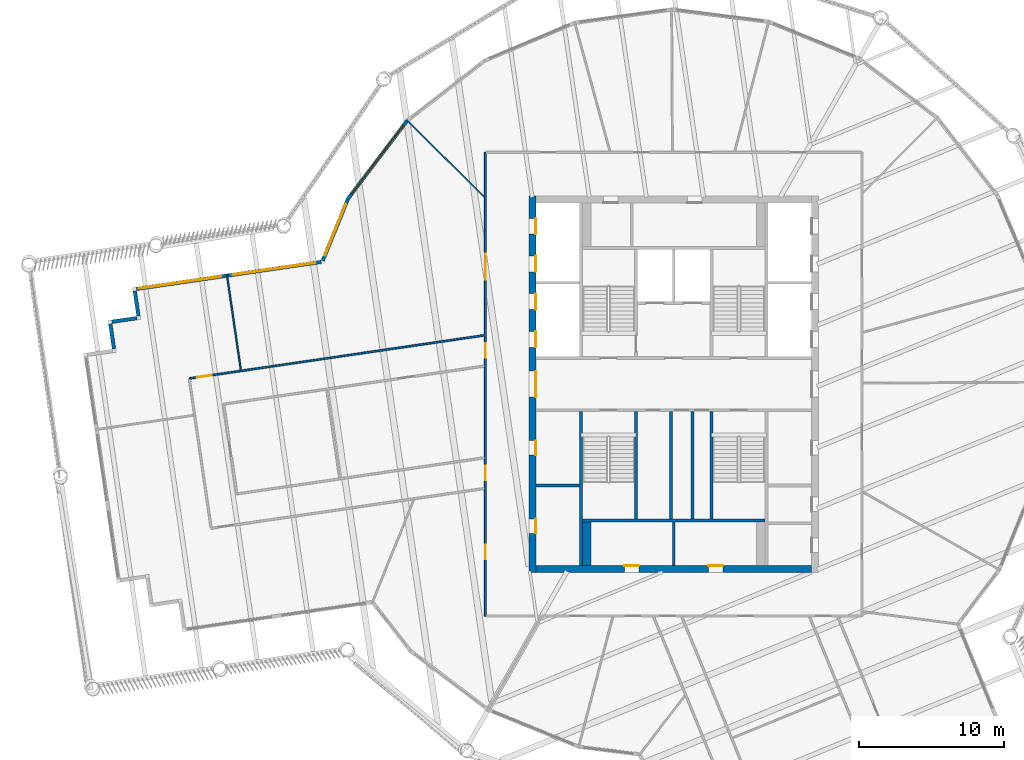
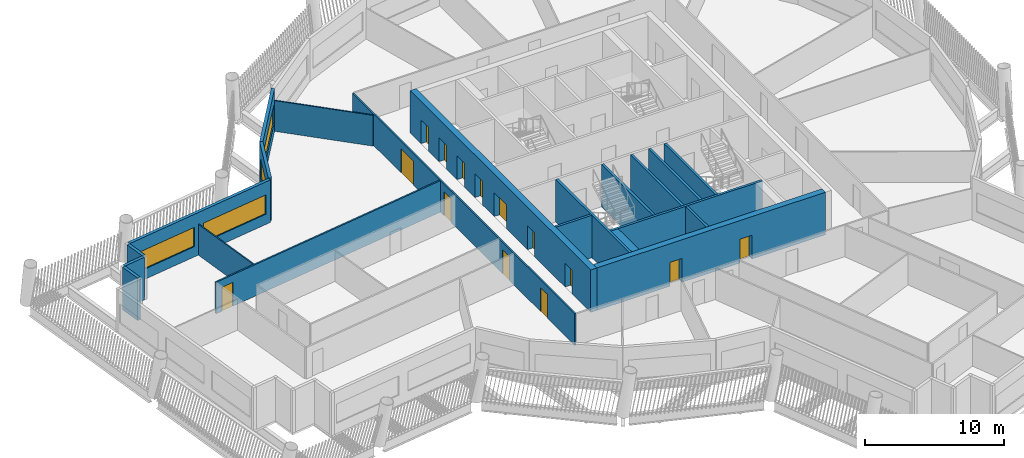
# One storey, part 4 of 15: 21 walls, 14 doors, 4 windows, 18 openings.
"""IFC4 building model written with IfcOpenShell, lengths in metres."""

from ifc_helpers import new_model, si_unit, direction, frame, frame_2d, origin, place, context, subcontext, project, spatial, rectangle, extrude, material, layer, layer_set, type_object, element, fill, save


model = new_model("IFC4")

# Units and contexts
model_context = context("Model", 3, precision=1e-05, world=origin(), true_north=direction((0.0, 1.0)))
body_context = subcontext(model_context, "Body", "Model", "MODEL_VIEW")
ifc_project = project(units=[si_unit("LENGTHUNIT", "METRE"), si_unit("AREAUNIT", "SQUARE_METRE"), si_unit("VOLUMEUNIT", "CUBIC_METRE"), si_unit("PLANEANGLEUNIT", "RADIAN"), si_unit("MASSUNIT", "GRAM", prefix="KILO")], contexts=[model_context])

# Site, building, storey
site_placement = place(None, origin())
site = spatial("IfcSite", under=ifc_project, at=site_placement, CompositionType="ELEMENT")
building_placement = place(site_placement, origin())
building = spatial("IfcBuilding", under=site, at=building_placement, Name="Tarsis Ring Headquarters", CompositionType="ELEMENT")
storey_placement = place(building_placement, frame((0.0, 0.0, 319.699951171875)))
storey = spatial("IfcBuildingStorey", under=building, at=storey_placement, Name="L75", CompositionType="ELEMENT", Elevation=319.699951171875)

# Walls
ifc_material_1 = material(Name="Blockwork", Category="masonry")
ifc_layer_1 = layer(ifc_material_1, 0.199951171875)
ifc_layer_set_1 = layer_set([ifc_layer_1], Name="Core blockwork wall 200")
wall_type_1 = type_object("IfcWallType", Name="Core blockwork wall 200", PredefinedType="PARTITIONING", material=ifc_layer_set_1)
for number, where, z_axis, x_axis, name in (
    (1, (-9.5, -7.0, 0.0), (0.0, 0.0, 1.0), (1.0, 0.0, 0.0), "Core partition WD2"),
    (2, (0.0, -12.5, 0.0), (0.0, 0.0, 1.0), (0.0, 1.0, 0.0), "Core partition SD2"),
):
    element("IfcWall", number, at=place(storey_placement, frame(where, z_axis=z_axis, x_axis=x_axis)), inside=storey, type_object=wall_type_1, Name=name, PredefinedType="PARTITIONING", context=body_context, shape_type="SweptSolid", body=[
        extrude(rectangle(XDim=3.0, YDim=0.199951171875, at=frame_2d((1.5, 0.0))), origin(), (0.0, 0.0, 1.0), 3.739990234375),
    ])
for number, where, z_axis, x_axis, name in (
    (3, (-0.199951171875, -9.300048828125, 0.0), (0.0, 0.0, 1.0), (0.0, 1.0, 0.0), "Core partition SV1"),
    (4, (1.300048828125, -9.300048828125, 0.0), (0.0, 0.0, 1.0), (0.0, 1.0, 0.0), "Core partition SV2"),
):
    element("IfcWall", number, at=place(storey_placement, frame(where, z_axis=z_axis, x_axis=x_axis)), inside=storey, type_object=wall_type_1, Name=name, PredefinedType="PARTITIONING", context=body_context, shape_type="SweptSolid", body=[
        extrude(rectangle(XDim=7.400146484375, YDim=0.199951171875, at=frame_2d((3.7001953125, 0.0))), origin(), (0.0, 0.0, 1.0), 3.739990234375),
    ])

# Wall, openings, doors
ifc_material_2 = material(Name="Concrete C50/60", Category="concrete")
ifc_layer_2 = layer(ifc_material_2, 0.5)
ifc_layer_set_2 = layer_set([ifc_layer_2], Name="Core wall 500 C50/60")
wall_type_2 = type_object("IfcWallType", Name="Core wall 500 C50/60", PredefinedType="SHEAR", material=ifc_layer_set_2)
wall_1_placement = place(storey_placement, frame((-9.75, -13.0, 0.0), z_axis=(0.0, 0.0, 1.0), x_axis=(0.0, 1.0, 0.0)))
wall_1 = element("IfcWall", 5, at=wall_1_placement, inside=storey, type_object=wall_type_2, Name="Core wall OW", PredefinedType="SHEAR", context=body_context, shape_type="SweptSolid", body=[
    extrude(rectangle(XDim=26.0, YDim=0.5, at=frame_2d((13.0, 0.0))), origin(), (0.0, 0.0, 1.0), 3.739990234375),
])
opening_1_placement = place(wall_1_placement, frame((2.699951171875, 0.0, 0.0)))
opening_1 = element("IfcOpeningElement", 6, at=opening_1_placement, cuts=wall_1, Name="Opening L75-C01", PredefinedType="OPENING", context=body_context, shape_type="SweptSolid", body=[
    extrude(rectangle(XDim=1.0, YDim=2.10009765625, at=frame_2d((0.5, 1.050048828125))), frame((0.0, 0.260009765625, 0.0), z_axis=(0.0, -1.0, 0.0), x_axis=(1.0, 0.0, 0.0)), (0.0, 0.0, 1.0), 0.52001953125),
])
opening_2_placement = place(wall_1_placement, frame((8.10009765625, 0.0, 0.0)))
opening_2 = element("IfcOpeningElement", 7, at=opening_2_placement, cuts=wall_1, Name="Opening L75-C02", PredefinedType="OPENING", context=body_context, shape_type="SweptSolid", body=[
    extrude(rectangle(XDim=1.0, YDim=2.10009765625, at=frame_2d((0.5, 1.050048828125))), frame((0.0, 0.260009765625, 0.0), z_axis=(0.0, -1.0, 0.0), x_axis=(1.0, 0.0, 0.0)), (0.0, 0.0, 1.0), 0.52001953125),
])
opening_3_placement = place(wall_1_placement, frame((12.10009765625, 0.0, 0.0)))
opening_3 = element("IfcOpeningElement", 8, at=opening_3_placement, cuts=wall_1, Name="Opening L75-C03", PredefinedType="OPENING", context=body_context, shape_type="SweptSolid", body=[
    extrude(rectangle(XDim=1.800048828125, YDim=2.10009765625, at=frame_2d((0.89990234375, 1.050048828125))), frame((0.0, 0.260009765625, 0.0), z_axis=(0.0, -1.0, 0.0), x_axis=(1.0, 0.0, 0.0)), (0.0, 0.0, 1.0), 0.52001953125),
])
opening_4_placement = place(wall_1_placement, frame((15.550048828125, 0.0, 0.0)))
opening_4 = element("IfcOpeningElement", 9, at=opening_4_placement, cuts=wall_1, Name="Opening LD-HR1", PredefinedType="OPENING", context=body_context, shape_type="SweptSolid", body=[
    extrude(rectangle(XDim=1.10009765625, YDim=2.10009765625, at=frame_2d((0.550048828125, 1.050048828125))), frame((0.0, 0.260009765625, 0.0), z_axis=(0.0, -1.0, 0.0), x_axis=(1.0, 0.0, 0.0)), (0.0, 0.0, 1.0), 0.52001953125),
])
opening_5_placement = place(wall_1_placement, frame((18.14990234375, 0.0, 0.0)))
opening_5 = element("IfcOpeningElement", 10, at=opening_5_placement, cuts=wall_1, Name="Opening LD-HR2", PredefinedType="OPENING", context=body_context, shape_type="SweptSolid", body=[
    extrude(rectangle(XDim=1.10009765625, YDim=2.10009765625, at=frame_2d((0.550048828125, 1.050048828125))), frame((0.0, 0.260009765625, 0.0), z_axis=(0.0, -1.0, 0.0), x_axis=(1.0, 0.0, 0.0)), (0.0, 0.0, 1.0), 0.52001953125),
])
opening_6_placement = place(wall_1_placement, frame((20.75, 0.0, 0.0)))
opening_6 = element("IfcOpeningElement", 11, at=opening_6_placement, cuts=wall_1, Name="Opening LD-HR3", PredefinedType="OPENING", context=body_context, shape_type="SweptSolid", body=[
    extrude(rectangle(XDim=1.10009765625, YDim=2.10009765625, at=frame_2d((0.550048828125, 1.050048828125))), frame((0.0, 0.260009765625, 0.0), z_axis=(0.0, -1.0, 0.0), x_axis=(1.0, 0.0, 0.0)), (0.0, 0.0, 1.0), 0.52001953125),
])
opening_7_placement = place(wall_1_placement, frame((23.35009765625, 0.0, 0.0)))
opening_7 = element("IfcOpeningElement", 12, at=opening_7_placement, cuts=wall_1, Name="Opening LD-HR4", PredefinedType="OPENING", context=body_context, shape_type="SweptSolid", body=[
    extrude(rectangle(XDim=1.10009765625, YDim=2.10009765625, at=frame_2d((0.550048828125, 1.050048828125))), frame((0.0, 0.260009765625, 0.0), z_axis=(0.0, -1.0, 0.0), x_axis=(1.0, 0.0, 0.0)), (0.0, 0.0, 1.0), 0.52001953125),
])
ifc_material_3 = material(Name="Steel S355", Category="steel")
door_type_1 = type_object("IfcDoorType", Name="Core entry door 1800x2100", OperationType="DOUBLE_DOOR_SINGLE_SWING", PredefinedType="DOOR", material=ifc_material_3)
door_1_placement = place(opening_3_placement, origin())
door_1 = element("IfcDoor", 13, at=door_1_placement, inside=storey, type_object=door_type_1, Name="Core entry door L75", OperationType="DOUBLE_DOOR_SINGLE_SWING", OverallHeight=2.10009765625, OverallWidth=1.800048828125, PredefinedType="DOOR", context=body_context, shape_type="SweptSolid", body=[
    extrude(rectangle(XDim=1.800048828125, YDim=2.10009765625, at=frame_2d((0.89990234375, 1.050048828125))), frame((0.0, -0.2001953125, 0.0), z_axis=(0.0, -1.0, 0.0), x_axis=(1.0, 0.0, 0.0)), (0.0, 0.0, 1.0), 0.050048828125),
])
fill(opening_3, door_1)
door_type_2 = type_object("IfcDoorType", Name="Core room door 1000x2100", OperationType="SINGLE_SWING_LEFT", PredefinedType="DOOR", material=ifc_material_3)
door_2_placement = place(opening_1_placement, origin())
door_2 = element("IfcDoor", 14, at=door_2_placement, inside=storey, type_object=door_type_2, Name="Core room door L75", OperationType="SINGLE_SWING_LEFT", OverallHeight=2.10009765625, OverallWidth=1.0, PredefinedType="DOOR", context=body_context, shape_type="SweptSolid", body=[
    extrude(rectangle(XDim=1.0, YDim=2.10009765625, at=frame_2d((0.5, 1.050048828125))), frame((0.0, -0.2001953125, 0.0), z_axis=(0.0, -1.0, 0.0), x_axis=(1.0, 0.0, 0.0)), (0.0, 0.0, 1.0), 0.050048828125),
])
fill(opening_1, door_2)
door_3_placement = place(opening_2_placement, origin())
door_3 = element("IfcDoor", 15, at=door_3_placement, inside=storey, type_object=door_type_2, Name="Core room door L75", OperationType="SINGLE_SWING_LEFT", OverallHeight=2.10009765625, OverallWidth=1.0, PredefinedType="DOOR", context=body_context, shape_type="SweptSolid", body=[
    extrude(rectangle(XDim=1.0, YDim=2.10009765625, at=frame_2d((0.5, 1.050048828125))), frame((0.0, -0.2001953125, 0.0), z_axis=(0.0, -1.0, 0.0), x_axis=(1.0, 0.0, 0.0)), (0.0, 0.0, 1.0), 0.050048828125),
])
fill(opening_2, door_3)
door_type_3 = type_object("IfcDoorType", Name="Landing door 1100x2100", OperationType="SLIDING_TO_LEFT", PredefinedType="DOOR", material=ifc_material_3)
door_4_placement = place(opening_4_placement, origin())
door_4 = element("IfcDoor", 16, at=door_4_placement, inside=storey, type_object=door_type_3, Name="Landing door HR1 L75", OperationType="SLIDING_TO_LEFT", OverallHeight=2.10009765625, OverallWidth=1.10009765625, PredefinedType="DOOR", context=body_context, shape_type="SweptSolid", body=[
    extrude(rectangle(XDim=1.10009765625, YDim=2.10009765625, at=frame_2d((0.550048828125, 1.050048828125))), frame((0.0, -0.2001953125, 0.0), z_axis=(0.0, -1.0, 0.0), x_axis=(1.0, 0.0, 0.0)), (0.0, 0.0, 1.0), 0.050048828125),
])
fill(opening_4, door_4)
door_5_placement = place(opening_5_placement, origin())
door_5 = element("IfcDoor", 17, at=door_5_placement, inside=storey, type_object=door_type_3, Name="Landing door HR2 L75", OperationType="SLIDING_TO_LEFT", OverallHeight=2.10009765625, OverallWidth=1.10009765625, PredefinedType="DOOR", context=body_context, shape_type="SweptSolid", body=[
    extrude(rectangle(XDim=1.10009765625, YDim=2.10009765625, at=frame_2d((0.550048828125, 1.050048828125))), frame((0.0, -0.2001953125, 0.0), z_axis=(0.0, -1.0, 0.0), x_axis=(1.0, 0.0, 0.0)), (0.0, 0.0, 1.0), 0.050048828125),
])
fill(opening_5, door_5)
door_6_placement = place(opening_6_placement, origin())
door_6 = element("IfcDoor", 18, at=door_6_placement, inside=storey, type_object=door_type_3, Name="Landing door HR3 L75", OperationType="SLIDING_TO_LEFT", OverallHeight=2.10009765625, OverallWidth=1.10009765625, PredefinedType="DOOR", context=body_context, shape_type="SweptSolid", body=[
    extrude(rectangle(XDim=1.10009765625, YDim=2.10009765625, at=frame_2d((0.550048828125, 1.050048828125))), frame((0.0, -0.2001953125, 0.0), z_axis=(0.0, -1.0, 0.0), x_axis=(1.0, 0.0, 0.0)), (0.0, 0.0, 1.0), 0.050048828125),
])
fill(opening_6, door_6)
door_7_placement = place(opening_7_placement, origin())
door_7 = element("IfcDoor", 19, at=door_7_placement, inside=storey, type_object=door_type_3, Name="Landing door HR4 L75", OperationType="SLIDING_TO_LEFT", OverallHeight=2.10009765625, OverallWidth=1.10009765625, PredefinedType="DOOR", context=body_context, shape_type="SweptSolid", body=[
    extrude(rectangle(XDim=1.10009765625, YDim=2.10009765625, at=frame_2d((0.550048828125, 1.050048828125))), frame((0.0, -0.2001953125, 0.0), z_axis=(0.0, -1.0, 0.0), x_axis=(1.0, 0.0, 0.0)), (0.0, 0.0, 1.0), 0.050048828125),
])
fill(opening_7, door_7)

wall_2_placement = place(storey_placement, frame((-9.5, -12.75, 0.0), z_axis=(0.0, 0.0, 1.0), x_axis=(1.0, 0.0, 0.0)))
wall_2 = element("IfcWall", 20, at=wall_2_placement, inside=storey, type_object=wall_type_2, Name="Core wall OS", PredefinedType="SHEAR", context=body_context, shape_type="SweptSolid", body=[
    extrude(rectangle(XDim=19.0, YDim=0.5, at=frame_2d((9.5, 0.0))), origin(), (0.0, 0.0, 1.0), 3.739990234375),
])
opening_8_placement = place(wall_2_placement, frame((6.10009765625, 0.0, 0.0)))
opening_8 = element("IfcOpeningElement", 21, at=opening_8_placement, cuts=wall_2, Name="Opening L75-C18", PredefinedType="OPENING", context=body_context, shape_type="SweptSolid", body=[
    extrude(rectangle(XDim=1.0, YDim=2.10009765625, at=frame_2d((0.5, 1.050048828125))), frame((0.0, 0.260009765625, 0.0), z_axis=(0.0, -1.0, 0.0), x_axis=(1.0, 0.0, 0.0)), (0.0, 0.0, 1.0), 0.52001953125),
])
opening_9_placement = place(wall_2_placement, frame((11.89990234375, 0.0, 0.0)))
opening_9 = element("IfcOpeningElement", 22, at=opening_9_placement, cuts=wall_2, Name="Opening L75-C19", PredefinedType="OPENING", context=body_context, shape_type="SweptSolid", body=[
    extrude(rectangle(XDim=1.0, YDim=2.10009765625, at=frame_2d((0.5, 1.050048828125))), frame((0.0, 0.260009765625, 0.0), z_axis=(0.0, -1.0, 0.0), x_axis=(1.0, 0.0, 0.0)), (0.0, 0.0, 1.0), 0.52001953125),
])
door_8_placement = place(opening_8_placement, origin())
door_8 = element("IfcDoor", 23, at=door_8_placement, inside=storey, type_object=door_type_2, Name="Core room door L75", OperationType="SINGLE_SWING_LEFT", OverallHeight=2.10009765625, OverallWidth=1.0, PredefinedType="DOOR", context=body_context, shape_type="SweptSolid", body=[
    extrude(rectangle(XDim=1.0, YDim=2.10009765625, at=frame_2d((0.5, 1.050048828125))), frame((0.0, 0.25, 0.0), z_axis=(0.0, -1.0, 0.0), x_axis=(1.0, 0.0, 0.0)), (0.0, 0.0, 1.0), 0.050048828125),
])
fill(opening_8, door_8)
door_9_placement = place(opening_9_placement, origin())
door_9 = element("IfcDoor", 24, at=door_9_placement, inside=storey, type_object=door_type_2, Name="Core room door L75", OperationType="SINGLE_SWING_LEFT", OverallHeight=2.10009765625, OverallWidth=1.0, PredefinedType="DOOR", context=body_context, shape_type="SweptSolid", body=[
    extrude(rectangle(XDim=1.0, YDim=2.10009765625, at=frame_2d((0.5, 1.050048828125))), frame((0.0, 0.25, 0.0), z_axis=(0.0, -1.0, 0.0), x_axis=(1.0, 0.0, 0.0)), (0.0, 0.0, 1.0), 0.050048828125),
])
fill(opening_9, door_9)

# Walls
ifc_material_4 = material(Name="Gypsum board on steel studs", Category="steel")
ifc_layer_3 = layer(ifc_material_4, 0.10009765625)
ifc_layer_set_3 = layer_set([ifc_layer_3], Name="FL partition 100 unrated")
wall_type_3 = type_object("IfcWallType", Name="FL partition 100 unrated", PredefinedType="PARTITIONING", material=ifc_layer_set_3)
wall_3_placement = place(storey_placement, frame((-18.4501953125, 18.2451171875, 0.0), z_axis=(0.0, 0.0, 1.0), x_axis=(0.711059483994, -0.703131858347, 0.0)))
element("IfcWall", 25, at=wall_3_placement, inside=storey, type_object=wall_type_3, Name="Partition PW3", PredefinedType="PARTITIONING", context=body_context, shape_type="SweptSolid", body=[
    extrude(rectangle(XDim=7.545166015625, YDim=0.10009765625, at=frame_2d((3.7724609375, 0.0))), origin(), (0.0, 0.0, 1.0), 2.699951171875),
])
wall_4_placement = place(storey_placement, frame((-30.839599609375, 7.567138671875, 0.0), z_axis=(0.0, 0.0, 1.0), x_axis=(0.144720281138, -0.989472607113, 0.0)))
element("IfcWall", 26, at=wall_4_placement, inside=storey, type_object=wall_type_3, Name="Partition PW3", PredefinedType="PARTITIONING", context=body_context, shape_type="SweptSolid", body=[
    extrude(rectangle(XDim=6.650146484375, YDim=0.10009765625, at=frame_2d((3.3251953125, 0.0))), origin(), (0.0, 0.0, 1.0), 2.699951171875),
])

# Wall, openings, doors
ifc_layer_4 = layer(ifc_material_4, 0.125)
ifc_layer_set_4 = layer_set([ifc_layer_4], Name="FL partition 125 EI 60 H2770")
wall_type_4 = type_object("IfcWallType", Name="FL partition 125 EI 60 H2770", PredefinedType="PARTITIONING", material=ifc_layer_set_4)
wall_5_placement = place(storey_placement, frame((-13.0, -16.0, 0.0), z_axis=(0.0, 0.0, 1.0), x_axis=(0.0, 1.0, 0.0)))
wall_5 = element("IfcWall", 27, at=wall_5_placement, inside=storey, type_object=wall_type_4, Name="Partition PW1", PredefinedType="PARTITIONING", context=body_context, shape_type="SweptSolid", body=[
    extrude(rectangle(XDim=32.0, YDim=0.125, at=frame_2d((16.0, 0.0))), origin(), (0.0, 0.0, 1.0), 2.77001953125),
])
opening_10_placement = place(wall_5_placement, frame((23.219970703125, 0.0, 0.0)))
opening_10 = element("IfcOpeningElement", 28, at=opening_10_placement, cuts=wall_5, Name="Opening D75.03", PredefinedType="OPENING", context=body_context, shape_type="SweptSolid", body=[
    extrude(rectangle(XDim=1.800048828125, YDim=2.10009765625, at=frame_2d((0.89990234375, 1.050048828125))), frame((0.0, 0.072509765625, 0.0), z_axis=(0.0, -1.0, 0.0), x_axis=(1.0, 0.0, 0.0)), (0.0, 0.0, 1.0), 0.14501953125),
])
opening_11_placement = place(wall_5_placement, frame((3.906494140625, 0.0, 0.0)))
opening_11 = element("IfcOpeningElement", 29, at=opening_11_placement, cuts=wall_5, Name="Opening D75.16", PredefinedType="OPENING", context=body_context, shape_type="SweptSolid", body=[
    extrude(rectangle(XDim=1.0, YDim=2.10009765625, at=frame_2d((0.5, 1.050048828125))), frame((0.0, 0.072509765625, 0.0), z_axis=(0.0, -1.0, 0.0), x_axis=(1.0, 0.0, 0.0)), (0.0, 0.0, 1.0), 0.14501953125),
])
opening_12_placement = place(wall_5_placement, frame((9.37451171875, 0.0, 0.0)))
opening_12 = element("IfcOpeningElement", 30, at=opening_12_placement, cuts=wall_5, Name="Opening D75.23", PredefinedType="OPENING", context=body_context, shape_type="SweptSolid", body=[
    extrude(rectangle(XDim=1.0, YDim=2.10009765625, at=frame_2d((0.5, 1.050048828125))), frame((0.0, 0.072509765625, 0.0), z_axis=(0.0, -1.0, 0.0), x_axis=(1.0, 0.0, 0.0)), (0.0, 0.0, 1.0), 0.14501953125),
])
opening_13_placement = place(wall_5_placement, frame((17.8232421875, 0.0, 0.0)))
opening_13 = element("IfcOpeningElement", 31, at=opening_13_placement, cuts=wall_5, Name="Opening D75.24", PredefinedType="OPENING", context=body_context, shape_type="SweptSolid", body=[
    extrude(rectangle(XDim=1.0, YDim=2.10009765625, at=frame_2d((0.5, 1.050048828125))), frame((0.0, 0.072509765625, 0.0), z_axis=(0.0, -1.0, 0.0), x_axis=(1.0, 0.0, 0.0)), (0.0, 0.0, 1.0), 0.14501953125),
])
ifc_material_5 = material(Name="Fire-rated timber door leaf in steel frame", Category="steel")
door_type_4 = type_object("IfcDoorType", Name="FL door FD60-1000", OperationType="NOTDEFINED", PredefinedType="DOOR", material=ifc_material_5)
door_10_placement = place(opening_11_placement, origin())
door_10 = element("IfcDoor", 32, at=door_10_placement, inside=storey, type_object=door_type_4, Name="Door D75.16", OperationType="SINGLE_SWING_LEFT", OverallHeight=2.10009765625, OverallWidth=1.0, PredefinedType="DOOR", context=body_context, shape_type="SweptSolid", body=[
    extrude(rectangle(XDim=1.0, YDim=2.10009765625, at=frame_2d((0.5, 1.050048828125))), frame((0.0, 0.02490234375, 0.0), z_axis=(0.0, -1.0, 0.0), x_axis=(1.0, 0.0, 0.0)), (0.0, 0.0, 1.0), 0.050048828125),
])
fill(opening_11, door_10)
door_11_placement = place(opening_12_placement, origin())
door_11 = element("IfcDoor", 33, at=door_11_placement, inside=storey, type_object=door_type_4, Name="Door D75.23", OperationType="SINGLE_SWING_RIGHT", OverallHeight=2.10009765625, OverallWidth=1.0, PredefinedType="DOOR", context=body_context, shape_type="SweptSolid", body=[
    extrude(rectangle(XDim=1.0, YDim=2.10009765625, at=frame_2d((0.5, 1.050048828125))), frame((0.0, 0.02490234375, 0.0), z_axis=(0.0, -1.0, 0.0), x_axis=(1.0, 0.0, 0.0)), (0.0, 0.0, 1.0), 0.050048828125),
])
fill(opening_12, door_11)
door_12_placement = place(opening_13_placement, origin())
door_12 = element("IfcDoor", 34, at=door_12_placement, inside=storey, type_object=door_type_4, Name="Door D75.24", OperationType="SINGLE_SWING_LEFT", OverallHeight=2.10009765625, OverallWidth=1.0, PredefinedType="DOOR", context=body_context, shape_type="SweptSolid", body=[
    extrude(rectangle(XDim=1.0, YDim=2.10009765625, at=frame_2d((0.5, 1.050048828125))), frame((0.0, 0.02490234375, 0.0), z_axis=(0.0, -1.0, 0.0), x_axis=(1.0, 0.0, 0.0)), (0.0, 0.0, 1.0), 0.050048828125),
])
fill(opening_13, door_12)
door_type_5 = type_object("IfcDoorType", Name="FL door FD60-1800", OperationType="DOUBLE_DOOR_SINGLE_SWING", PredefinedType="DOOR", material=ifc_material_5)
door_13_placement = place(opening_10_placement, origin())
door_13 = element("IfcDoor", 35, at=door_13_placement, inside=storey, type_object=door_type_5, Name="Door D75.03", OperationType="DOUBLE_DOOR_SINGLE_SWING", OverallHeight=2.10009765625, OverallWidth=1.800048828125, PredefinedType="DOOR", context=body_context, shape_type="SweptSolid", body=[
    extrude(rectangle(XDim=1.800048828125, YDim=2.10009765625, at=frame_2d((0.89990234375, 1.050048828125))), frame((0.0, 0.02490234375, 0.0), z_axis=(0.0, -1.0, 0.0), x_axis=(1.0, 0.0, 0.0)), (0.0, 0.0, 1.0), 0.050048828125),
])
fill(opening_10, door_13)

# Wall, opening, door
wall_6_placement = place(storey_placement, frame((-33.439208984375, 0.3955078125, 0.0), z_axis=(0.0, 0.0, 1.0), x_axis=(0.989474652646, 0.144706294859, 0.0)))
wall_6 = element("IfcWall", 36, at=wall_6_placement, inside=storey, type_object=wall_type_4, Name="Partition PW1", PredefinedType="PARTITIONING", context=body_context, shape_type="SweptSolid", body=[
    extrude(rectangle(XDim=20.586669921875, YDim=0.125, at=frame_2d((10.29345703125, 0.0))), origin(), (0.0, 0.0, 1.0), 2.77001953125),
])
opening_14_placement = place(wall_6_placement, frame((0.550048828125, 0.0, 0.0)))
opening_14 = element("IfcOpeningElement", 37, at=opening_14_placement, cuts=wall_6, Name="Opening D75.02", PredefinedType="OPENING", context=body_context, shape_type="SweptSolid", body=[
    extrude(rectangle(XDim=1.0, YDim=2.10009765625, at=frame_2d((0.5, 1.050048828125))), frame((0.0, 0.072509765625, 0.0), z_axis=(0.0, -1.0, 0.0), x_axis=(1.0, 0.0, 0.0)), (0.0, 0.0, 1.0), 0.14501953125),
])
door_14_placement = place(opening_14_placement, origin())
door_14 = element("IfcDoor", 38, at=door_14_placement, inside=storey, type_object=door_type_4, Name="Door D75.02", OperationType="SINGLE_SWING_LEFT", OverallHeight=2.10009765625, OverallWidth=1.0, PredefinedType="DOOR", context=body_context, shape_type="SweptSolid", body=[
    extrude(rectangle(XDim=1.0, YDim=2.10009765625, at=frame_2d((0.5, 1.050048828125))), frame((0.0, 0.02490234375, 0.0), z_axis=(0.0, -1.0, 0.0), x_axis=(1.0, 0.0, 0.0)), (0.0, 0.0, 1.0), 0.050048828125),
])
fill(opening_14, door_14)

# Wall, opening, window
ifc_material_6 = material(Name="Terracotta clad insulated panel wall", Category="masonry")
ifc_layer_5 = layer(ifc_material_6, 0.25)
ifc_layer_set_5 = layer_set([ifc_layer_5], Name="Facade wall terracotta panel 250")
wall_type_5 = type_object("IfcWallType", Name="Facade wall terracotta panel 250", PredefinedType="STANDARD", material=ifc_layer_set_5)
wall_7_placement = place(storey_placement, frame((-18.407470703125, 18.179931640625, 0.0), z_axis=(0.0, 0.0, 1.0), x_axis=(-0.604332421257, -0.796732279136, 0.0)))
wall_7 = element("IfcWall", 39, at=wall_7_placement, inside=storey, type_object=wall_type_5, Name="External wall L75-29", PredefinedType="STANDARD", context=body_context, shape_type="SweptSolid", body=[
    extrude(rectangle(XDim=6.721435546875, YDim=0.25, at=frame_2d((3.36083984375, 0.0))), origin(), (0.0, 0.0, 1.0), 3.739990234375),
])
opening_15_placement = place(wall_7_placement, frame((0.3857421875, 0.0, 0.89990234375)))
opening_15 = element("IfcOpeningElement", 40, at=opening_15_placement, cuts=wall_7, Name="Opening WN07", PredefinedType="OPENING", context=body_context, shape_type="SweptSolid", body=[
    extrude(rectangle(XDim=5.949951171875, YDim=1.699951171875, at=frame_2d((2.97509765625, 0.85009765625))), frame((0.0, 0.135009765625, 0.0), z_axis=(0.0, -1.0, 0.0), x_axis=(1.0, 0.0, 0.0)), (0.0, 0.0, 1.0), 0.27001953125),
])
ifc_material_7 = material(Name="Aluminium framed double glazing", Category="aluminium")
window_type_1 = type_object("IfcWindowType", Name="Facade window 5950 x 1700", PartitioningType="SINGLE_PANEL", PredefinedType="WINDOW", material=ifc_material_7)
window_1_placement = place(opening_15_placement, origin())
window_1 = element("IfcWindow", 41, at=window_1_placement, inside=storey, type_object=window_type_1, Name="Window L75-29.1", OverallHeight=1.699951171875, OverallWidth=5.949951171875, PartitioningType="SINGLE_PANEL", PredefinedType="WINDOW", context=body_context, shape_type="SweptSolid", body=[
    extrude(rectangle(XDim=5.949951171875, YDim=1.699951171875, at=frame_2d((2.97509765625, 0.85009765625))), frame((0.0, 0.030029296875, 0.0), z_axis=(0.0, -1.0, 0.0), x_axis=(1.0, 0.0, 0.0)), (0.0, 0.0, 1.0), 0.06005859375),
])
fill(opening_15, window_1)

wall_8_placement = place(storey_placement, frame((-22.485595703125, 12.79638671875, 0.0), z_axis=(0.0, 0.0, 1.0), x_axis=(-0.377535343714, -0.925995175067, 0.0)))
wall_8 = element("IfcWall", 42, at=wall_8_placement, inside=storey, type_object=wall_type_5, Name="External wall L75-30", PredefinedType="STANDARD", context=body_context, shape_type="SweptSolid", body=[
    extrude(rectangle(XDim=4.617919921875, YDim=0.25, at=frame_2d((2.30908203125, 0.0))), origin(), (0.0, 0.0, 1.0), 3.739990234375),
])
opening_16_placement = place(wall_8_placement, frame((0.367431640625, 0.0, 0.89990234375)))
opening_16 = element("IfcOpeningElement", 43, at=opening_16_placement, cuts=wall_8, Name="Opening WN02", PredefinedType="OPENING", context=body_context, shape_type="SweptSolid", body=[
    extrude(rectangle(XDim=3.85009765625, YDim=1.699951171875, at=frame_2d((1.925048828125, 0.85009765625))), frame((0.0, 0.135009765625, 0.0), z_axis=(0.0, -1.0, 0.0), x_axis=(1.0, 0.0, 0.0)), (0.0, 0.0, 1.0), 0.27001953125),
])
window_type_2 = type_object("IfcWindowType", Name="Facade window 3850 x 1700", PartitioningType="SINGLE_PANEL", PredefinedType="WINDOW", material=ifc_material_7)
window_2_placement = place(opening_16_placement, origin())
window_2 = element("IfcWindow", 44, at=window_2_placement, inside=storey, type_object=window_type_2, Name="Window L75-30.1", OverallHeight=1.699951171875, OverallWidth=3.85009765625, PartitioningType="SINGLE_PANEL", PredefinedType="WINDOW", context=body_context, shape_type="SweptSolid", body=[
    extrude(rectangle(XDim=3.85009765625, YDim=1.699951171875, at=frame_2d((1.925048828125, 0.85009765625))), frame((0.0, 0.030029296875, 0.0), z_axis=(0.0, -1.0, 0.0), x_axis=(1.0, 0.0, 0.0)), (0.0, 0.0, 1.0), 0.06005859375),
])
fill(opening_16, window_2)

# Wall, openings, windows
wall_9_placement = place(storey_placement, frame((-24.32666015625, 8.44384765625, 0.0), z_axis=(0.0, 0.0, 1.0), x_axis=(-0.989473955355, -0.144711062723, 0.0)))
wall_9 = element("IfcWall", 45, at=wall_9_placement, inside=storey, type_object=wall_type_5, Name="External wall L75-31", PredefinedType="STANDARD", context=body_context, shape_type="SweptSolid", body=[
    extrude(rectangle(XDim=12.901123046875, YDim=0.25, at=frame_2d((6.45068359375, 0.0))), origin(), (0.0, 0.0, 1.0), 3.739990234375),
])
opening_17_placement = place(wall_9_placement, frame((0.412841796875, 0.0, 0.89990234375)))
opening_17 = element("IfcOpeningElement", 46, at=opening_17_placement, cuts=wall_9, Name="Opening WN06", PredefinedType="OPENING", context=body_context, shape_type="SweptSolid", body=[
    extrude(rectangle(XDim=5.75, YDim=1.699951171875, at=frame_2d((2.875, 0.85009765625))), frame((0.0, 0.135009765625, 0.0), z_axis=(0.0, -1.0, 0.0), x_axis=(1.0, 0.0, 0.0)), (0.0, 0.0, 1.0), 0.27001953125),
])
opening_18_placement = place(wall_9_placement, frame((6.988525390625, 0.0, 0.89990234375)))
opening_18 = element("IfcOpeningElement", 47, at=opening_18_placement, cuts=wall_9, Name="Opening WN06", PredefinedType="OPENING", context=body_context, shape_type="SweptSolid", body=[
    extrude(rectangle(XDim=5.75, YDim=1.699951171875, at=frame_2d((2.875, 0.85009765625))), frame((0.0, 0.135009765625, 0.0), z_axis=(0.0, -1.0, 0.0), x_axis=(1.0, 0.0, 0.0)), (0.0, 0.0, 1.0), 0.27001953125),
])
window_type_3 = type_object("IfcWindowType", Name="Facade window 5750 x 1700", PartitioningType="SINGLE_PANEL", PredefinedType="WINDOW", material=ifc_material_7)
window_3_placement = place(opening_17_placement, origin())
window_3 = element("IfcWindow", 48, at=window_3_placement, inside=storey, type_object=window_type_3, Name="Window L75-31.1", OverallHeight=1.699951171875, OverallWidth=5.75, PartitioningType="SINGLE_PANEL", PredefinedType="WINDOW", context=body_context, shape_type="SweptSolid", body=[
    extrude(rectangle(XDim=5.75, YDim=1.699951171875, at=frame_2d((2.875, 0.85009765625))), frame((0.0, 0.030029296875, 0.0), z_axis=(0.0, -1.0, 0.0), x_axis=(1.0, 0.0, 0.0)), (0.0, 0.0, 1.0), 0.06005859375),
])
fill(opening_17, window_3)
window_4_placement = place(opening_18_placement, origin())
window_4 = element("IfcWindow", 49, at=window_4_placement, inside=storey, type_object=window_type_3, Name="Window L75-31.2", OverallHeight=1.699951171875, OverallWidth=5.75, PartitioningType="SINGLE_PANEL", PredefinedType="WINDOW", context=body_context, shape_type="SweptSolid", body=[
    extrude(rectangle(XDim=5.75, YDim=1.699951171875, at=frame_2d((2.875, 0.85009765625))), frame((0.0, 0.030029296875, 0.0), z_axis=(0.0, -1.0, 0.0), x_axis=(1.0, 0.0, 0.0)), (0.0, 0.0, 1.0), 0.06005859375),
])
fill(opening_18, window_4)

# Walls
for number, where, z_axis, x_axis, name in (
    (50, (-37.19775390625, 6.43505859375, 0.0), (0.0, 0.0, 1.0), (0.1448191692, -0.989458138696, 0.0), "External wall L75-32"),
    (51, (-37.050048828125, 4.561767578125, 0.0), (0.0, 0.0, 1.0), (-0.989481041465, -0.144662602566, 0.0), "External wall L75-33"),
):
    element("IfcWall", number, at=place(storey_placement, frame(where, z_axis=z_axis, x_axis=x_axis)), inside=storey, type_object=wall_type_5, Name=name, PredefinedType="STANDARD", context=body_context, shape_type="SweptSolid", body=[
        extrude(rectangle(XDim=1.75, YDim=0.25, at=frame_2d((0.875, 0.0))), origin(), (0.0, 0.0, 1.0), 3.739990234375),
    ])
wall_10_placement = place(storey_placement, frame((-38.88720703125, 4.166748046875, 0.0), z_axis=(0.0, 0.0, 1.0), x_axis=(0.144682573601, -0.989478121484, 0.0)))
element("IfcWall", 52, at=wall_10_placement, inside=storey, type_object=wall_type_5, Name="External wall L75-34", PredefinedType="STANDARD", context=body_context, shape_type="SweptSolid", body=[
    extrude(rectangle(XDim=1.749755859375, YDim=0.25, at=frame_2d((0.875, 0.0))), origin(), (0.0, 0.0, 1.0), 3.739990234375),
])
ifc_material_8 = material(Name="Concrete C32/40", Category="concrete")
ifc_layer_6 = layer(ifc_material_8, 0.60009765625)
ifc_layer_set_6 = layer_set([ifc_layer_6], Name="Shaft end wall 600 C32/40")
wall_type_6 = type_object("IfcWallType", Name="Shaft end wall 600 C32/40", PredefinedType="SOLIDWALL", material=ifc_layer_set_6)
wall_11_placement = place(storey_placement, frame((-6.0, -12.5, 0.0), z_axis=(0.0, 0.0, 1.0), x_axis=(0.0, 1.0, 0.0)))
element("IfcWall", 53, at=wall_11_placement, inside=storey, type_object=wall_type_6, Name="Core shaft wall SNE1", PredefinedType="SOLIDWALL", context=body_context, shape_type="SweptSolid", body=[
    extrude(rectangle(XDim=3.0, YDim=0.60009765625, at=frame_2d((1.5, 0.0))), origin(), (0.0, 0.0, 1.0), 3.739990234375),
])
ifc_layer_7 = layer(ifc_material_8, 0.199951171875)
ifc_layer_set_7 = layer_set([ifc_layer_7], Name="Shaft wall 200 C32/40")
wall_type_7 = type_object("IfcWallType", Name="Shaft wall 200 C32/40", PredefinedType="SOLIDWALL", material=ifc_layer_set_7)
wall_12_placement = place(storey_placement, frame((-6.39990234375, -12.5, 0.0), z_axis=(0.0, 0.0, 1.0), x_axis=(0.0, 1.0, 0.0)))
element("IfcWall", 54, at=wall_12_placement, inside=storey, type_object=wall_type_7, Name="Core shaft wall WB1", PredefinedType="SOLIDWALL", context=body_context, shape_type="SweptSolid", body=[
    extrude(rectangle(XDim=10.60009765625, YDim=0.199951171875, at=frame_2d((5.300048828125, 0.0))), origin(), (0.0, 0.0, 1.0), 3.739990234375),
])
wall_13_placement = place(storey_placement, frame((-6.300048828125, -9.39990234375, 0.0), z_axis=(0.0, 0.0, 1.0), x_axis=(1.0, 0.0, 0.0)))
element("IfcWall", 55, at=wall_13_placement, inside=storey, type_object=wall_type_7, Name="Core shaft wall SB", PredefinedType="SOLIDWALL", context=body_context, shape_type="SweptSolid", body=[
    extrude(rectangle(XDim=12.60009765625, YDim=0.199951171875, at=frame_2d((6.300048828125, 0.0))), origin(), (0.0, 0.0, 1.0), 3.739990234375),
])
for number, where, z_axis, x_axis, name in (
    (56, (-2.60009765625, -9.300048828125, 0.0), (0.0, 0.0, 1.0), (0.0, 1.0, 0.0), "Core shaft wall SW3"),
    (57, (2.60009765625, -9.300048828125, 0.0), (0.0, 0.0, 1.0), (0.0, 1.0, 0.0), "Core shaft wall SW4"),
):
    element("IfcWall", number, at=place(storey_placement, frame(where, z_axis=z_axis, x_axis=x_axis)), inside=storey, type_object=wall_type_7, Name=name, PredefinedType="SOLIDWALL", context=body_context, shape_type="SweptSolid", body=[
        extrude(rectangle(XDim=7.400146484375, YDim=0.199951171875, at=frame_2d((3.7001953125, 0.0))), origin(), (0.0, 0.0, 1.0), 3.739990234375),
    ])

save(model, "model.ifc")
